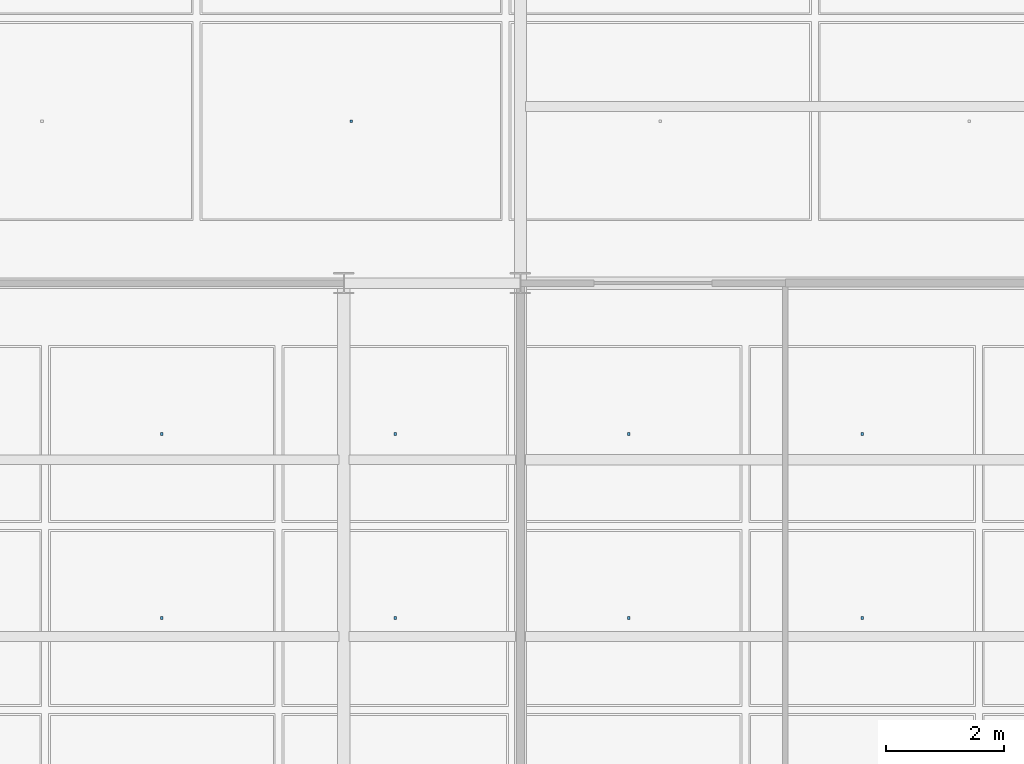
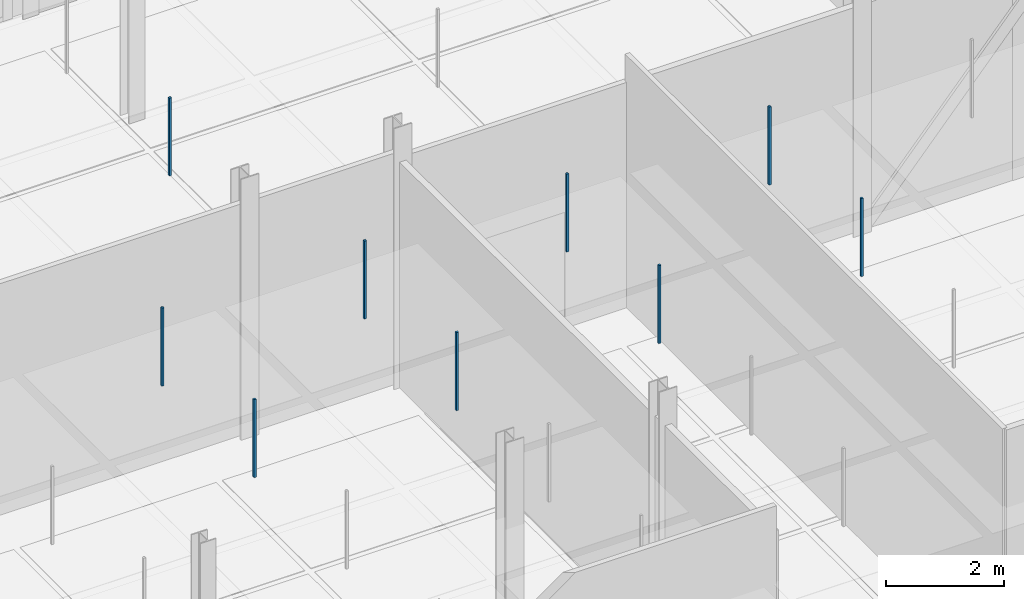
# One storey, part 138 of 180: 9 discrete accessories.
"""IFC4 building model written with IfcOpenShell, lengths in metres."""

from ifc_helpers import new_model, si_unit, direction, frame, origin, origin_2d, place, context, subcontext, project, spatial, rectangle, extrude, material, type_object, element, save


model = new_model("IFC4")

# Units and contexts
model_context = context("Model", 3, precision=1e-05, world=origin(), true_north=direction((0.0, 1.0)))
body_context = subcontext(model_context, "Body", "Model", "MODEL_VIEW")
ifc_project = project(units=[si_unit("LENGTHUNIT", "METRE"), si_unit("AREAUNIT", "SQUARE_METRE"), si_unit("VOLUMEUNIT", "CUBIC_METRE"), si_unit("PLANEANGLEUNIT", "RADIAN"), si_unit("MASSUNIT", "GRAM", prefix="KILO"), si_unit("THERMODYNAMICTEMPERATUREUNIT", "KELVIN"), si_unit("POWERUNIT", "WATT")], contexts=[model_context])

# Site, building, storey
site_placement = place(None, origin())
site = spatial("IfcSite", under=ifc_project, at=site_placement, CompositionType="ELEMENT")
building_placement = place(site_placement, origin())
building = spatial("IfcBuilding", under=site, at=building_placement, Name="Tallowbark Science Centre", CompositionType="ELEMENT")
storey_placement = place(building_placement, origin())
storey = spatial("IfcBuildingStorey", under=building, at=storey_placement, Name="L00", CompositionType="ELEMENT", Elevation=0.0)

# Discrete accessories
ifc_material = material(Name="Galvanised Steel Grade C350L0 (350 MPa)", Category="steel")
discrete_accessory_type = type_object("IfcDiscreteAccessoryType", Name="ACC-CLG-HNG", PredefinedType="BRACKET", material=ifc_material)
for number, where, z_axis, x_axis, name in (
    (1, (65.91064453125, 93.3125, 3.60498046875), (0.0, 0.0, 1.0), (1.0, 0.0, 0.0), "Ceiling Hanger Bracket L00-319"),
    (2, (65.91064453125, 96.4375, 3.60498046875), (0.0, 0.0, 1.0), (1.0, 0.0, 0.0), "Ceiling Hanger Bracket L00-320"),
    (3, (69.875, 93.3125, 3.60498046875), (0.0, 0.0, 1.0), (1.0, 0.0, 0.0), "Ceiling Hanger Bracket L00-327"),
    (4, (69.875, 96.4375, 3.60498046875), (0.0, 0.0, 1.0), (1.0, 0.0, 0.0), "Ceiling Hanger Bracket L00-328"),
    (5, (73.83935546875, 93.3125, 3.60498046875), (0.0, 0.0, 1.0), (1.0, 0.0, 0.0), "Ceiling Hanger Bracket L00-331"),
    (6, (73.83935546875, 96.4375, 3.60498046875), (0.0, 0.0, 1.0), (1.0, 0.0, 0.0), "Ceiling Hanger Bracket L00-332"),
    (7, (77.8037109375, 93.3125, 3.60498046875), (0.0, 0.0, 1.0), (1.0, 0.0, 0.0), "Ceiling Hanger Bracket L00-335"),
    (8, (77.8037109375, 96.4375, 3.60498046875), (0.0, 0.0, 1.0), (1.0, 0.0, 0.0), "Ceiling Hanger Bracket L00-336"),
):
    element("IfcDiscreteAccessory", number, at=place(storey_placement, frame(where, z_axis=z_axis, x_axis=x_axis)), inside=storey, type_object=discrete_accessory_type, Name=name, PredefinedType="BRACKET", context=body_context, shape_type="SweptSolid", body=[
        extrude(rectangle(XDim=0.044921875, YDim=0.044921875, at=origin_2d()), origin(), (0.0, 0.0, 1.0), 1.617919921875),
    ])
discrete_accessory_placement = place(storey_placement, frame((69.125, 101.75, 3.609375), z_axis=(0.0, 0.0, 1.0), x_axis=(1.0, 0.0, 0.0)))
element("IfcDiscreteAccessory", 9, at=discrete_accessory_placement, inside=storey, type_object=discrete_accessory_type, Name="Ceiling Hanger Bracket L00-403", PredefinedType="BRACKET", context=body_context, shape_type="SweptSolid", body=[
    extrude(rectangle(XDim=0.044921875, YDim=0.044921875, at=origin_2d()), origin(), (0.0, 0.0, 1.0), 1.613525390625),
])

save(model, "model.ifc")
